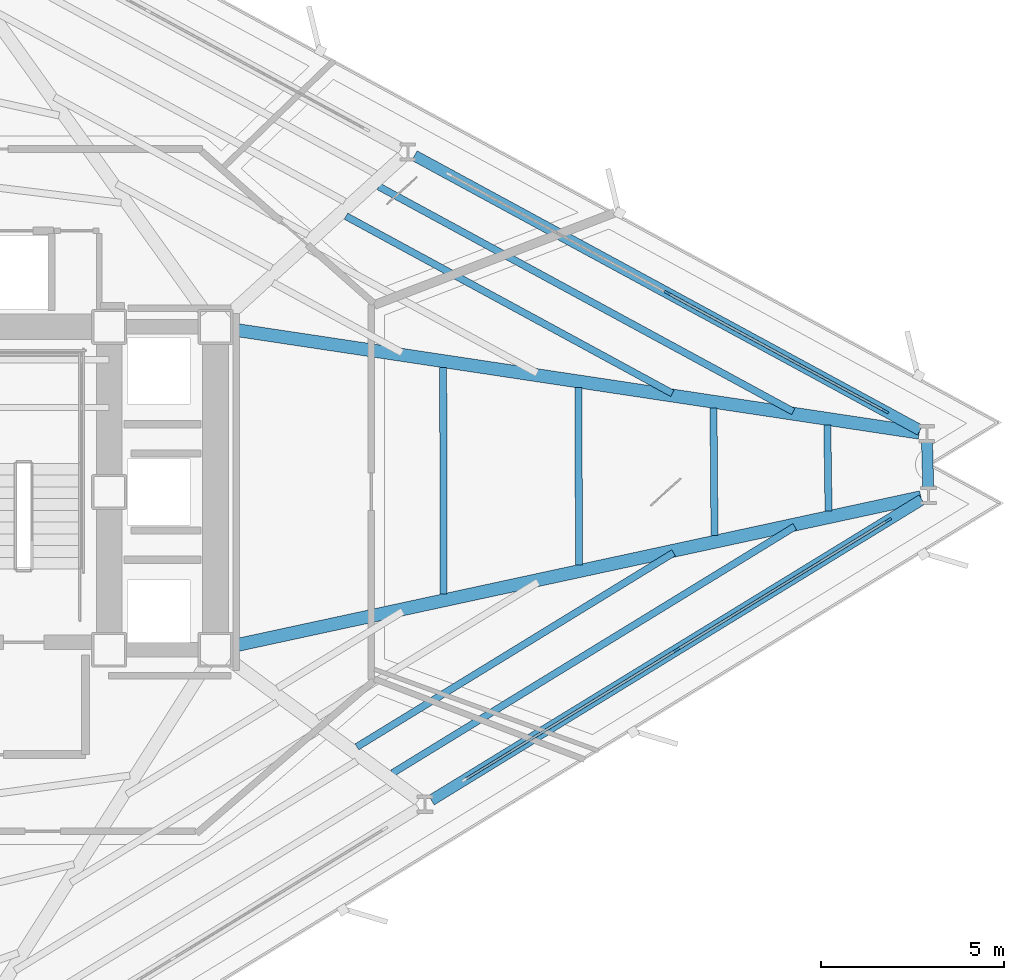
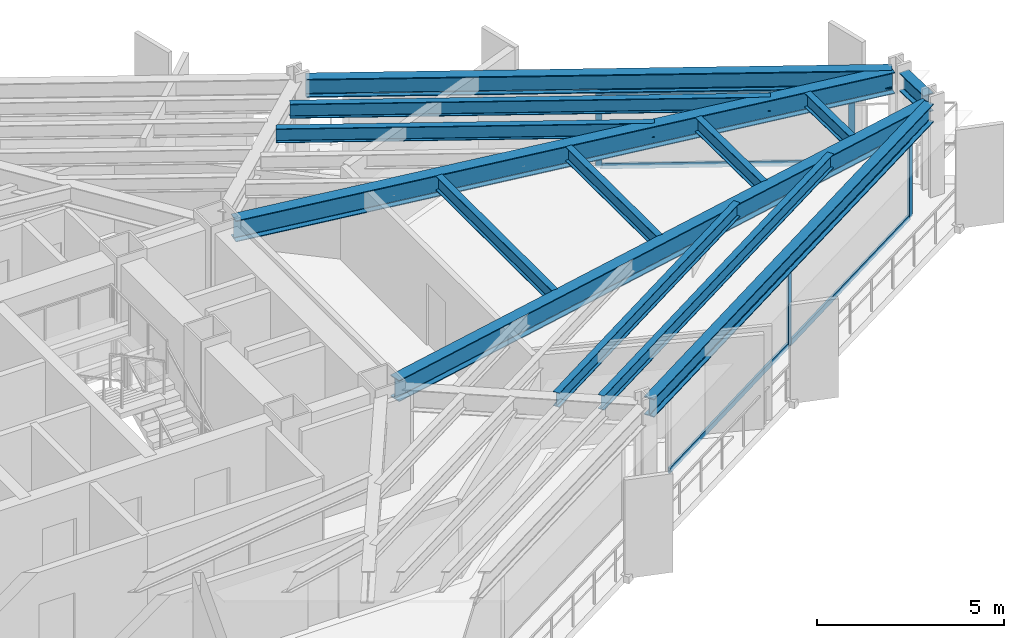
# One storey, part 4 of 14: 13 beams, 10 members, 2 elements without a shape of their own.
"""IFC4 building model written with IfcOpenShell, lengths in metres."""

from ifc_helpers import new_model, si_unit, direction, frame, origin, origin_2d, place, context, subcontext, project, spatial, rectangle, i_section, extrude, material, layer, layer_set, material_profile, profile_set, type_object, element, aggregate, save


model = new_model("IFC4")

# Units and contexts
model_context = context("Model", 3, precision=1e-05, world=origin(), true_north=direction((0.0, 1.0)))
body_context = subcontext(model_context, "Body", "Model", "MODEL_VIEW")
ifc_project = project(units=[si_unit("LENGTHUNIT", "METRE"), si_unit("AREAUNIT", "SQUARE_METRE"), si_unit("VOLUMEUNIT", "CUBIC_METRE"), si_unit("PLANEANGLEUNIT", "RADIAN"), si_unit("MASSUNIT", "GRAM", prefix="KILO")], contexts=[model_context])

# Site, building, storey
site_placement = place(None, origin())
site = spatial("IfcSite", under=ifc_project, at=site_placement, CompositionType="ELEMENT")
building_placement = place(site_placement, origin())
building = spatial("IfcBuilding", under=site, at=building_placement, Name="Rocaltana Carrier Exchange", CompositionType="ELEMENT")
storey_placement = place(building_placement, frame((0.0, 0.0, 22.239990234375)))
storey = spatial("IfcBuildingStorey", under=building, at=storey_placement, Name="L07", CompositionType="ELEMENT", Elevation=22.239990234375)

# Curtain wall, members
ifc_material_1 = material(Name="Aluminium 6063-T6", Category="aluminium")
ifc_layer = layer(ifc_material_1, 0.179931640625)
ifc_layer_set = layer_set([ifc_layer], Name="Aluminium 6063-T6")
curtain_wall_type = type_object("IfcCurtainWallType", Name="Sandstone Spandrel Unitised Curtain Wall CW-01", PredefinedType="NOTDEFINED", material=ifc_layer_set)
curtain_wall_1_placement = place(storey_placement, origin())
curtain_wall_1 = element("IfcCurtainWall", 1, at=curtain_wall_1_placement, inside=storey, type_object=curtain_wall_type, Name="L07 CW-01 Run CW-L07-F1S1", PredefinedType="NOTDEFINED")
ifc_material_2 = material(Name="Aluminium 6063-T6", Category="aluminium")
ifc_material_profile_1 = material_profile(ifc_material_2, rectangle(XDim=0.06494140625, YDim=0.179931640625, at=origin_2d()), Name="AL-65X180")
ifc_profile_set_1 = profile_set([ifc_material_profile_1], Name="Aluminium 6063-T6")
member_type_1 = type_object("IfcMemberType", Name="CW-01 Mullion AL-65X180", PredefinedType="MULLION", material=ifc_profile_set_1)
member_1_placement = place(storey_placement, frame((27.213623046875, 2.19677734375, 0.0), z_axis=(0.0, 0.0, 1.0), x_axis=(-0.477161473226, -0.878815639636, 0.0)))
member_1 = element("IfcMember", 2, at=member_1_placement, type_object=member_type_1, Name="CW-01 mullion 1", PredefinedType="MULLION", context=body_context, shape_type="SweptSolid", body=[
    extrude(rectangle(XDim=0.06494140625, YDim=0.179931640625, at=origin_2d()), origin(), (0.0, 0.0, 1.0), 2.47802734375),
])
member_2_placement = place(storey_placement, frame((21.26611328125, 5.426025390625, 0.0), z_axis=(0.0, 0.0, 1.0), x_axis=(-0.477161473226, -0.878815639636, 0.0)))
member_2 = element("IfcMember", 3, at=member_2_placement, type_object=member_type_1, Name="CW-01 mullion 2", PredefinedType="MULLION", context=body_context, shape_type="SweptSolid", body=[
    extrude(rectangle(XDim=0.06494140625, YDim=0.179931640625, at=origin_2d()), origin(), (0.0, 0.0, 1.0), 2.47802734375),
])

curtain_wall_2_placement = place(storey_placement, origin())
curtain_wall_2 = element("IfcCurtainWall", 4, at=curtain_wall_2_placement, inside=storey, type_object=curtain_wall_type, Name="L07 CW-01 Run CW-L07-F3S3", PredefinedType="NOTDEFINED")
member_3_placement = place(storey_placement, frame((21.52099609375, -4.3056640625, 0.0), z_axis=(0.0, 0.0, 1.0), x_axis=(-0.522499812415, 0.852639399762, 0.0)))
member_3 = element("IfcMember", 5, at=member_3_placement, type_object=member_type_1, Name="CW-01 mullion 2", PredefinedType="MULLION", context=body_context, shape_type="SweptSolid", body=[
    extrude(rectangle(XDim=0.06494140625, YDim=0.179931640625, at=origin_2d()), origin(), (0.0, 0.0, 1.0), 2.47802734375),
])
member_4_placement = place(storey_placement, frame((27.291259765625, -0.76953125, 0.0), z_axis=(0.0, 0.0, 1.0), x_axis=(-0.522499812415, 0.852639399762, 0.0)))
member_4 = element("IfcMember", 6, at=member_4_placement, type_object=member_type_1, Name="CW-01 mullion 3", PredefinedType="MULLION", context=body_context, shape_type="SweptSolid", body=[
    extrude(rectangle(XDim=0.06494140625, YDim=0.179931640625, at=origin_2d()), origin(), (0.0, 0.0, 1.0), 2.47802734375),
])

# Member
ifc_material_3 = material(Name="Aluminium 6063-T6", Category="aluminium")
ifc_material_profile_2 = material_profile(ifc_material_3, rectangle(XDim=0.06494140625, YDim=0.179931640625, at=origin_2d()), Name="AL-65X180")
ifc_profile_set_2 = profile_set([ifc_material_profile_2], Name="Aluminium 6063-T6")
member_type_2 = type_object("IfcMemberType", Name="CW-01 Transom AL-65X180", PredefinedType="USERDEFINED", material=ifc_profile_set_2)
member_5_placement = place(storey_placement, frame((27.18505859375, 2.21240234375, 0.032470703125), z_axis=(-0.878830739565, 0.477133661772, 0.0), x_axis=(-0.477133661772, -0.878830739565, 0.0)))
member_5 = element("IfcMember", 7, at=member_5_placement, type_object=member_type_2, Name="CW-01 transom 1.1", ObjectType="TRANSOM", PredefinedType="USERDEFINED", context=body_context, shape_type="SweptSolid", body=[
    extrude(rectangle(XDim=0.06494140625, YDim=0.179931640625, at=origin_2d()), origin(), (0.0, 0.0, 1.0), 6.70263671875),
])

member_6_placement = place(storey_placement, frame((27.18505859375, 2.21240234375, 2.445556640625), z_axis=(-0.878830739565, 0.477133661772, 0.0), x_axis=(-0.477133661772, -0.878830739565, 0.0)))
member_6 = element("IfcMember", 8, at=member_6_placement, type_object=member_type_2, Name="CW-01 transom 1.2", ObjectType="TRANSOM", PredefinedType="USERDEFINED", context=body_context, shape_type="SweptSolid", body=[
    extrude(rectangle(XDim=0.06494140625, YDim=0.179931640625, at=origin_2d()), origin(), (0.0, 0.0, 1.0), 6.70263671875),
])

aggregate(curtain_wall_1, [member_1, member_2, member_5, member_6])

member_7_placement = place(storey_placement, frame((15.7783203125, -7.82470703125, 0.032470703125), z_axis=(0.85263109068, 0.522513371318, 0.0), x_axis=(-0.522513371318, 0.85263109068, 0.0)))
member_7 = element("IfcMember", 9, at=member_7_placement, type_object=member_type_2, Name="CW-01 transom 1.1", ObjectType="TRANSOM", PredefinedType="USERDEFINED", context=body_context, shape_type="SweptSolid", body=[
    extrude(rectangle(XDim=0.06494140625, YDim=0.179931640625, at=origin_2d()), origin(), (0.0, 0.0, 1.0), 6.70263671875),
])

member_8_placement = place(storey_placement, frame((15.7783203125, -7.82470703125, 2.445556640625), z_axis=(0.85263109068, 0.522513371318, 0.0), x_axis=(-0.522513371318, 0.85263109068, 0.0)))
member_8 = element("IfcMember", 10, at=member_8_placement, type_object=member_type_2, Name="CW-01 transom 1.2", ObjectType="TRANSOM", PredefinedType="USERDEFINED", context=body_context, shape_type="SweptSolid", body=[
    extrude(rectangle(XDim=0.06494140625, YDim=0.179931640625, at=origin_2d()), origin(), (0.0, 0.0, 1.0), 6.70263671875),
])

member_9_placement = place(storey_placement, frame((21.548583984375, -4.28857421875, 0.032470703125), z_axis=(0.85264731822, 0.522486890488, 0.0), x_axis=(-0.522486890488, 0.85264731822, 0.0)))
member_9 = element("IfcMember", 11, at=member_9_placement, type_object=member_type_2, Name="CW-01 transom 2.1", ObjectType="TRANSOM", PredefinedType="USERDEFINED", context=body_context, shape_type="SweptSolid", body=[
    extrude(rectangle(XDim=0.06494140625, YDim=0.179931640625, at=origin_2d()), origin(), (0.0, 0.0, 1.0), 6.702392578125),
])

member_10_placement = place(storey_placement, frame((21.548583984375, -4.28857421875, 2.445556640625), z_axis=(0.85264731822, 0.522486890488, 0.0), x_axis=(-0.522486890488, 0.85264731822, 0.0)))
member_10 = element("IfcMember", 12, at=member_10_placement, type_object=member_type_2, Name="CW-01 transom 2.2", ObjectType="TRANSOM", PredefinedType="USERDEFINED", context=body_context, shape_type="SweptSolid", body=[
    extrude(rectangle(XDim=0.06494140625, YDim=0.179931640625, at=origin_2d()), origin(), (0.0, 0.0, 1.0), 6.702392578125),
])

aggregate(curtain_wall_2, [member_3, member_4, member_7, member_8, member_9, member_10])

# Beams
ifc_material_4 = material(Name="Steel S355", Category="steel")
ifc_material_profile_3 = material_profile(ifc_material_4, i_section(OverallWidth=0.193115234375, OverallDepth=0.466064453125, WebThickness=0.011474609375, FlangeThickness=0.01904296875, FilletRadius=0.013916015625, at=origin_2d()), Name="W18X65")
ifc_profile_set_3 = profile_set([ifc_material_profile_3], Name="Steel S355")
beam_type_1 = type_object("IfcBeamType", Name="Floor Joist W18X65", PredefinedType="JOIST", material=ifc_profile_set_3)
beam_1_placement = place(storey_placement, frame((21.4033203125, 2.68701171875, 2.864990234375), z_axis=(-0.878818466662, 0.477156266494, 0.0), x_axis=(-0.477156266494, -0.878818466662, 0.0)))
element("IfcBeam", 13, at=beam_1_placement, inside=storey, type_object=beam_type_1, Name="FJ-L07-01-3", PredefinedType="JOIST", context=body_context, shape_type="SweptSolid", body=[
    extrude(i_section(OverallWidth=0.193115234375, OverallDepth=0.466064453125, WebThickness=0.011474609375, FlangeThickness=0.01904296875, FilletRadius=0.013916015625, at=origin_2d()), origin(), (0.0, 0.0, 1.0), 10.1220703125),
])
beam_2_placement = place(storey_placement, frame((24.69970703125, 2.19140625, 2.864990234375), z_axis=(-0.878819767198, 0.477153871181, 0.0), x_axis=(-0.477153871181, -0.878819767198, 0.0)))
element("IfcBeam", 14, at=beam_2_placement, inside=storey, type_object=beam_type_1, Name="FJ-L07-01-4", PredefinedType="JOIST", context=body_context, shape_type="SweptSolid", body=[
    extrude(i_section(OverallWidth=0.193115234375, OverallDepth=0.466064453125, WebThickness=0.011474609375, FlangeThickness=0.01904296875, FilletRadius=0.013916015625, at=origin_2d()), origin(), (0.0, 0.0, 1.0), 12.859130859375),
])
beam_3_placement = place(storey_placement, frame((12.805908203125, -6.947998046875, 2.864990234375), z_axis=(0.852634876053, 0.522507194341, 0.0), x_axis=(-0.522507194341, 0.852634876053, 0.0)))
element("IfcBeam", 15, at=beam_3_placement, inside=storey, type_object=beam_type_1, Name="FJ-L07-11-3", PredefinedType="JOIST", context=body_context, shape_type="SweptSolid", body=[
    extrude(i_section(OverallWidth=0.193115234375, OverallDepth=0.466064453125, WebThickness=0.011474609375, FlangeThickness=0.01904296875, FilletRadius=0.013916015625, at=origin_2d()), origin(), (0.0, 0.0, 1.0), 10.1220703125),
])
beam_4_placement = place(storey_placement, frame((13.776123046875, -7.6640625, 2.864990234375), z_axis=(0.852642453123, 0.522494829766, 0.0), x_axis=(-0.522494829766, 0.852642453123, 0.0)))
element("IfcBeam", 16, at=beam_4_placement, inside=storey, type_object=beam_type_1, Name="FJ-L07-11-4", PredefinedType="JOIST", context=body_context, shape_type="SweptSolid", body=[
    extrude(i_section(OverallWidth=0.193115234375, OverallDepth=0.466064453125, WebThickness=0.011474609375, FlangeThickness=0.01904296875, FilletRadius=0.013916015625, at=origin_2d()), origin(), (0.0, 0.0, 1.0), 12.85888671875),
])
beam_5_placement = place(storey_placement, frame((15.168701171875, -2.7841796875, 2.864990234375), z_axis=(-0.00213328634, 0.999997724542, 0.0), x_axis=(-0.999997724542, -0.00213328634, 0.0)))
element("IfcBeam", 17, at=beam_5_placement, inside=storey, type_object=beam_type_1, Name="FJ-L07-12-1", PredefinedType="JOIST", context=body_context, shape_type="SweptSolid", body=[
    extrude(i_section(OverallWidth=0.193115234375, OverallDepth=0.466064453125, WebThickness=0.011474609375, FlangeThickness=0.01904296875, FilletRadius=0.013916015625, at=origin_2d()), origin(), (0.0, 0.0, 1.0), 6.179931640625),
])
beam_6_placement = place(storey_placement, frame((18.861083984375, -1.986083984375, 2.864990234375), z_axis=(-0.004348884286, 0.999990543558, 0.0), x_axis=(-0.999990543558, -0.004348884286, 0.0)))
element("IfcBeam", 18, at=beam_6_placement, inside=storey, type_object=beam_type_1, Name="FJ-L07-12-2", PredefinedType="JOIST", context=body_context, shape_type="SweptSolid", body=[
    extrude(i_section(OverallWidth=0.193115234375, OverallDepth=0.466064453125, WebThickness=0.011474609375, FlangeThickness=0.01904296875, FilletRadius=0.013916015625, at=origin_2d()), origin(), (0.0, 0.0, 1.0), 4.827880859375),
])
beam_7_placement = place(storey_placement, frame((22.552978515625, -1.188232421875, 2.864990234375), z_axis=(-0.008076713655, 0.999967382816, 0.0), x_axis=(-0.999967382816, -0.008076713655, 0.0)))
element("IfcBeam", 19, at=beam_7_placement, inside=storey, type_object=beam_type_1, Name="FJ-L07-12-3", PredefinedType="JOIST", context=body_context, shape_type="SweptSolid", body=[
    extrude(i_section(OverallWidth=0.193115234375, OverallDepth=0.466064453125, WebThickness=0.011474609375, FlangeThickness=0.01904296875, FilletRadius=0.013916015625, at=origin_2d()), origin(), (0.0, 0.0, 1.0), 3.47607421875),
])
beam_8_placement = place(storey_placement, frame((25.661376953125, -0.51611328125, 2.864990234375), z_axis=(-0.014097815542, 0.99990062086, 0.0), x_axis=(-0.99990062086, -0.014097815542, 0.0)))
element("IfcBeam", 20, at=beam_8_placement, inside=storey, type_object=beam_type_1, Name="FJ-L07-12-4", PredefinedType="JOIST", context=body_context, shape_type="SweptSolid", body=[
    extrude(i_section(OverallWidth=0.193115234375, OverallDepth=0.466064453125, WebThickness=0.011474609375, FlangeThickness=0.01904296875, FilletRadius=0.013916015625, at=origin_2d()), origin(), (0.0, 0.0, 1.0), 2.337890625),
])
ifc_material_5 = material(Name="Steel S355", Category="steel")
ifc_material_profile_4 = material_profile(ifc_material_5, i_section(OverallWidth=0.35498046875, OverallDepth=0.695068359375, WebThickness=0.015380859375, FlangeThickness=0.02490234375, FilletRadius=0.01806640625, at=origin_2d()), Name="W27X146")
ifc_profile_set_4 = profile_set([ifc_material_profile_4], Name="Steel S355")
beam_type_2 = type_object("IfcBeamType", Name="Radial Girder W27X146", PredefinedType="BEAM", material=ifc_profile_set_4)
beam_9_placement = place(storey_placement, frame((9.411865234375, 4.4306640625, 2.75048828125), z_axis=(0.988886168287, -0.148674631899, 0.0), x_axis=(0.148674631899, 0.988886168287, 0.0)))
element("IfcBeam", 21, at=beam_9_placement, inside=storey, type_object=beam_type_2, Name="RG-L07-01", PredefinedType="BEAM", context=body_context, shape_type="SweptSolid", body=[
    extrude(i_section(OverallWidth=0.35498046875, OverallDepth=0.695068359375, WebThickness=0.015380859375, FlangeThickness=0.02490234375, FilletRadius=0.01806640625, at=origin_2d()), origin(), (0.0, 0.0, 1.0), 18.93359375),
])
beam_10_placement = place(storey_placement, frame((9.406494140625, -4.201416015625, 2.75048828125), z_axis=(0.977428496371, 0.211266501088, 0.0), x_axis=(-0.211266501088, 0.977428496371, 0.0)))
element("IfcBeam", 22, at=beam_10_placement, inside=storey, type_object=beam_type_2, Name="RG-L07-12", PredefinedType="BEAM", context=body_context, shape_type="SweptSolid", body=[
    extrude(i_section(OverallWidth=0.35498046875, OverallDepth=0.695068359375, WebThickness=0.015380859375, FlangeThickness=0.02490234375, FilletRadius=0.01806640625, at=origin_2d()), origin(), (0.0, 0.0, 1.0), 19.20849609375),
])
ifc_material_6 = material(Name="Steel S355", Category="steel")
ifc_material_profile_5 = material_profile(ifc_material_6, i_section(OverallWidth=0.300048828125, OverallDepth=0.60009765625, WebThickness=0.015380859375, FlangeThickness=0.030029296875, FilletRadius=0.027099609375, at=origin_2d()), Name="HEB600")
ifc_profile_set_5 = profile_set([ifc_material_profile_5], Name="Steel S355")
beam_type_3 = type_object("IfcBeamType", Name="Spandrel Edge Beam HEB600", PredefinedType="SPANDREL", material=ifc_profile_set_5)
beam_11_placement = place(storey_placement, frame((28.15771484375, 1.68408203125, 2.798095703125), z_axis=(-0.8788112834, 0.477169496269, 0.0), x_axis=(-0.477169496269, -0.8788112834, 0.0)))
element("IfcBeam", 23, at=beam_11_placement, inside=storey, type_object=beam_type_3, Name="SP-L07-01", PredefinedType="SPANDREL", context=body_context, shape_type="SweptSolid", body=[
    extrude(i_section(OverallWidth=0.300048828125, OverallDepth=0.60009765625, WebThickness=0.015380859375, FlangeThickness=0.030029296875, FilletRadius=0.027099609375, at=origin_2d()), origin(), (0.0, 0.0, 1.0), 15.683837890625),
])
beam_12_placement = place(storey_placement, frame((14.83447265625, -8.403076171875, 2.798095703125), z_axis=(0.852645545454, 0.522489783458, 0.0), x_axis=(-0.522489783458, 0.852645545454, 0.0)))
element("IfcBeam", 24, at=beam_12_placement, inside=storey, type_object=beam_type_3, Name="SP-L07-11", PredefinedType="SPANDREL", context=body_context, shape_type="SweptSolid", body=[
    extrude(i_section(OverallWidth=0.300048828125, OverallDepth=0.60009765625, WebThickness=0.015380859375, FlangeThickness=0.030029296875, FilletRadius=0.027099609375, at=origin_2d()), origin(), (0.0, 0.0, 1.0), 15.68408203125),
])
beam_13_placement = place(storey_placement, frame((28.37939453125, 0.1083984375, 2.798095703125), z_axis=(-0.026357275668, 0.999652586662, 0.0), x_axis=(-0.999652586662, -0.026357275668, 0.0)))
element("IfcBeam", 25, at=beam_13_placement, inside=storey, type_object=beam_type_3, Name="SP-L07-12", PredefinedType="SPANDREL", context=body_context, shape_type="SweptSolid", body=[
    extrude(i_section(OverallWidth=0.300048828125, OverallDepth=0.60009765625, WebThickness=0.015380859375, FlangeThickness=0.030029296875, FilletRadius=0.027099609375, at=origin_2d()), origin(), (0.0, 0.0, 1.0), 1.26904296875),
])

save(model, "model.ifc")
